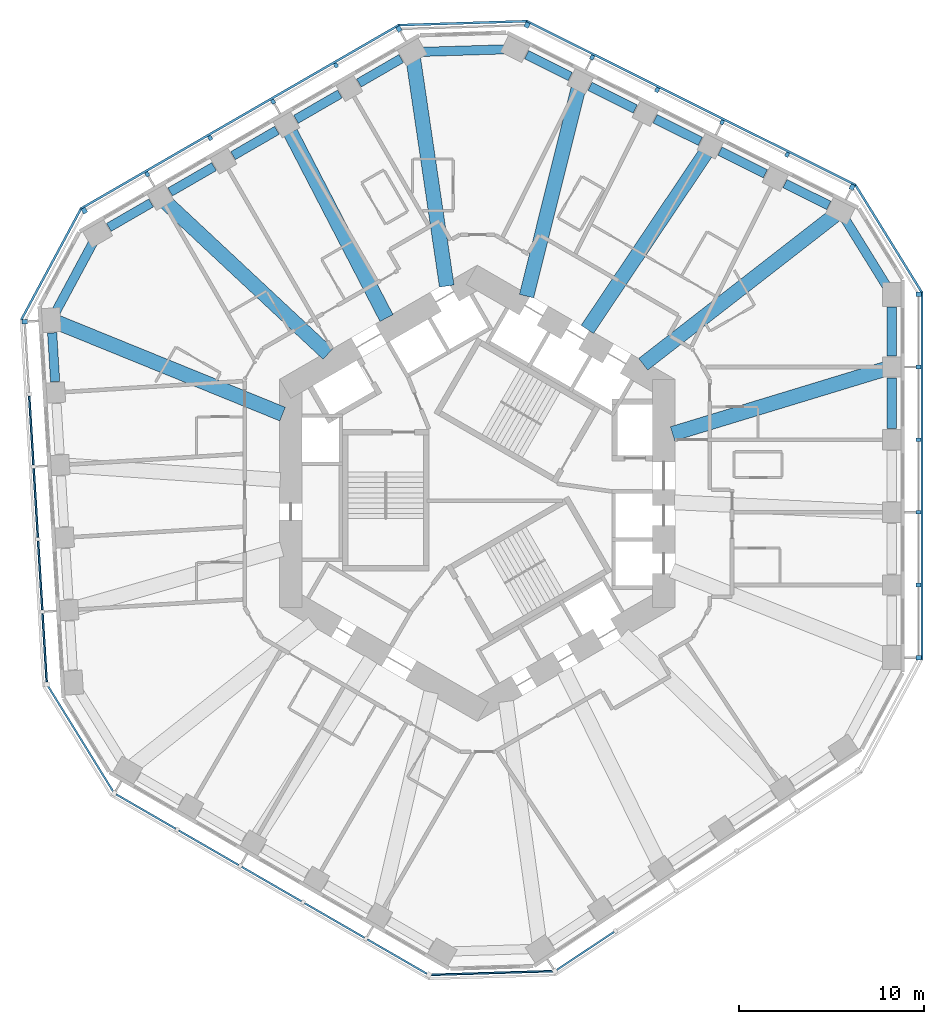
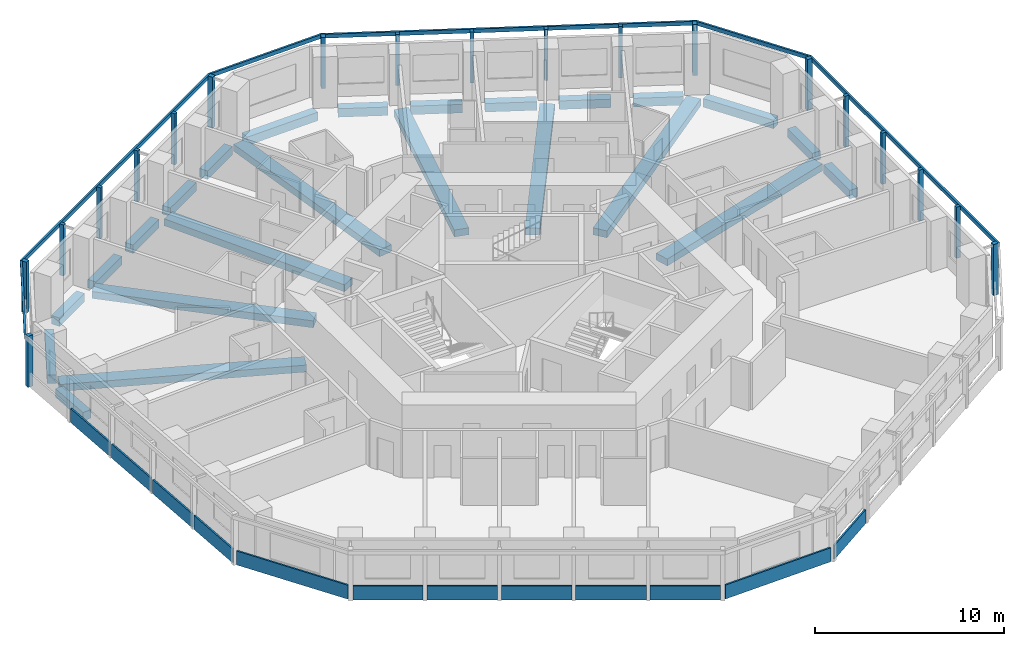
# One storey, part 2 of 12: 25 members, 24 beams, 12 plates, 11 elements without a shape of their own.
"""IFC4 building model written with IfcOpenShell, lengths in metres."""

from ifc_helpers import new_model, si_unit, direction, frame, origin, origin_2d, place, context, subcontext, project, spatial, rectangle, extrude, material, layer, layer_set, material_profile, profile_set, type_object, element, aggregate, save


model = new_model("IFC4")

# Units and contexts
model_context = context("Model", 3, precision=1e-05, world=origin(), true_north=direction((0.0, 1.0)))
body_context = subcontext(model_context, "Body", "Model", "MODEL_VIEW")
ifc_project = project(units=[si_unit("LENGTHUNIT", "METRE"), si_unit("AREAUNIT", "SQUARE_METRE"), si_unit("VOLUMEUNIT", "CUBIC_METRE"), si_unit("PLANEANGLEUNIT", "RADIAN"), si_unit("MASSUNIT", "GRAM", prefix="KILO")], contexts=[model_context])

# Site, building, storey
site_placement = place(None, origin())
site = spatial("IfcSite", under=ifc_project, at=site_placement, CompositionType="ELEMENT")
building_placement = place(site_placement, origin())
building = spatial("IfcBuilding", under=site, at=building_placement, Name="Vanh Sen Convention Tower", CompositionType="ELEMENT")
storey_placement = place(building_placement, frame((0.0, 0.0, 93.5)))
storey = spatial("IfcBuildingStorey", under=building, at=storey_placement, Name="L21", CompositionType="ELEMENT", Elevation=93.5)

# Curtain wall, members
ifc_material_1 = material(Name="Concrete C50/60", Category="concrete")
curtain_wall_type = type_object("IfcCurtainWallType", Name="Outer skin hotel zone", PredefinedType="NOTDEFINED", material=ifc_material_1)
curtain_wall_1_placement = place(storey_placement, origin())
curtain_wall_1 = element("IfcCurtainWall", 1, at=curtain_wall_1_placement, inside=storey, type_object=curtain_wall_type, Name="OUTER SKIN E L21", PredefinedType="NOTDEFINED")
ifc_material_profile_1 = material_profile(ifc_material_1, rectangle(XDim=0.25, YDim=0.300048828125, at=origin_2d()), Name="Outer skin precast corner fin 250 x 300")
ifc_profile_set_1 = profile_set([ifc_material_profile_1], Name="Concrete C50/60")
member_type_1 = type_object("IfcMemberType", Name="Outer skin precast corner fin 250 x 300", PredefinedType="MULLION", material=ifc_profile_set_1)
member_1_placement = place(storey_placement, frame((23.89990234375, -8.899169921875, 0.0), z_axis=(0.0, 0.0, 1.0), x_axis=(0.0, 1.0, 0.0)))
member_1 = element("IfcMember", 2, at=member_1_placement, type_object=member_type_1, Name="OUTER SKIN CORNER FIN 1 E L21", PredefinedType="MULLION", context=body_context, shape_type="SweptSolid", body=[
    extrude(rectangle(XDim=0.25, YDim=0.300048828125, at=origin_2d()), origin(), (0.0, 0.0, 1.0), 3.300048828125),
])
member_2_placement = place(storey_placement, frame((23.89990234375, 10.773681640625, 0.0), z_axis=(0.0, 0.0, 1.0), x_axis=(0.0, 1.0, 0.0)))
member_2 = element("IfcMember", 3, at=member_2_placement, type_object=member_type_1, Name="OUTER SKIN CORNER FIN 6 E L21", PredefinedType="MULLION", context=body_context, shape_type="SweptSolid", body=[
    extrude(rectangle(XDim=0.25, YDim=0.300048828125, at=origin_2d()), origin(), (0.0, 0.0, 1.0), 3.300048828125),
])

curtain_wall_2_placement = place(storey_placement, origin())
curtain_wall_2 = element("IfcCurtainWall", 4, at=curtain_wall_2_placement, inside=storey, type_object=curtain_wall_type, Name="OUTER SKIN NE L21", PredefinedType="NOTDEFINED")
member_3_placement = place(storey_placement, frame((20.305908203125, 16.581787109375, 0.0), z_axis=(0.0, 0.0, 1.0), x_axis=(-0.894934361602, 0.44619781311, 0.0)))
member_3 = element("IfcMember", 5, at=member_3_placement, type_object=member_type_1, Name="OUTER SKIN CORNER FIN 1 NE L21", PredefinedType="MULLION", context=body_context, shape_type="SweptSolid", body=[
    extrude(rectangle(XDim=0.25, YDim=0.300048828125, at=origin_2d()), origin(), (0.0, 0.0, 1.0), 3.300048828125),
])
member_4_placement = place(storey_placement, frame((2.699951171875, 25.35986328125, 0.0), z_axis=(0.0, 0.0, 1.0), x_axis=(-0.894934361602, 0.44619781311, 0.0)))
member_4 = element("IfcMember", 6, at=member_4_placement, type_object=member_type_1, Name="OUTER SKIN CORNER FIN 6 NE L21", PredefinedType="MULLION", context=body_context, shape_type="SweptSolid", body=[
    extrude(rectangle(XDim=0.25, YDim=0.300048828125, at=origin_2d()), origin(), (0.0, 0.0, 1.0), 3.300048828125),
])

curtain_wall_3_placement = place(storey_placement, origin())
curtain_wall_3 = element("IfcCurtainWall", 7, at=curtain_wall_3_placement, inside=storey, type_object=curtain_wall_type, Name="OUTER SKIN NW L21", PredefinedType="NOTDEFINED")
member_5_placement = place(storey_placement, frame((-4.242919921875, 25.147705078125, 0.0), z_axis=(0.0, 0.0, 1.0), x_axis=(-0.866025403784, -0.5, 0.0)))
member_5 = element("IfcMember", 8, at=member_5_placement, type_object=member_type_1, Name="OUTER SKIN CORNER FIN 1 NW L21", PredefinedType="MULLION", context=body_context, shape_type="SweptSolid", body=[
    extrude(rectangle(XDim=0.25, YDim=0.300048828125, at=origin_2d()), origin(), (0.0, 0.0, 1.0), 3.300048828125),
])
member_6_placement = place(storey_placement, frame((-21.2802734375, 15.31103515625, 0.0), z_axis=(0.0, 0.0, 1.0), x_axis=(-0.866025403784, -0.5, 0.0)))
member_6 = element("IfcMember", 9, at=member_6_placement, type_object=member_type_1, Name="OUTER SKIN CORNER FIN 6 NW L21", PredefinedType="MULLION", context=body_context, shape_type="SweptSolid", body=[
    extrude(rectangle(XDim=0.25, YDim=0.300048828125, at=origin_2d()), origin(), (0.0, 0.0, 1.0), 3.300048828125),
])

# Curtain wall, member
curtain_wall_4_placement = place(storey_placement, origin())
curtain_wall_4 = element("IfcCurtainWall", 10, at=curtain_wall_4_placement, inside=storey, type_object=curtain_wall_type, Name="OUTER SKIN W L21", PredefinedType="NOTDEFINED")
member_7_placement = place(storey_placement, frame((-24.51318359375, 9.294677734375, 0.0), z_axis=(0.0, 0.0, 1.0), x_axis=(0.061048539535, -0.998134798422, 0.0)))
member_7 = element("IfcMember", 11, at=member_7_placement, type_object=member_type_1, Name="OUTER SKIN CORNER FIN 1 W L21", PredefinedType="MULLION", context=body_context, shape_type="SweptSolid", body=[
    extrude(rectangle(XDim=0.25, YDim=0.300048828125, at=origin_2d()), origin(), (0.0, 0.0, 1.0), 3.300048828125),
])

# Member
ifc_material_profile_2 = material_profile(ifc_material_1, rectangle(XDim=0.199951171875, YDim=0.25, at=origin_2d()), Name="Outer skin precast fin 200 x 250")
ifc_profile_set_2 = profile_set([ifc_material_profile_2], Name="Concrete C50/60")
member_type_2 = type_object("IfcMemberType", Name="Outer skin precast fin 200 x 250", PredefinedType="MULLION", material=ifc_profile_set_2)
member_8_placement = place(storey_placement, frame((23.89990234375, -4.964599609375, 0.0), z_axis=(0.0, 0.0, 1.0), x_axis=(0.0, 1.0, 0.0)))
member_8 = element("IfcMember", 12, at=member_8_placement, type_object=member_type_2, Name="OUTER SKIN fin 2 E L21", PredefinedType="MULLION", context=body_context, shape_type="SweptSolid", body=[
    extrude(rectangle(XDim=0.199951171875, YDim=0.25, at=origin_2d()), origin(), (0.0, 0.0, 1.0), 3.300048828125),
])

member_9_placement = place(storey_placement, frame((23.89990234375, -1.030029296875, 0.0), z_axis=(0.0, 0.0, 1.0), x_axis=(0.0, 1.0, 0.0)))
member_9 = element("IfcMember", 13, at=member_9_placement, type_object=member_type_2, Name="OUTER SKIN fin 3 E L21", PredefinedType="MULLION", context=body_context, shape_type="SweptSolid", body=[
    extrude(rectangle(XDim=0.199951171875, YDim=0.25, at=origin_2d()), origin(), (0.0, 0.0, 1.0), 3.300048828125),
])

member_10_placement = place(storey_placement, frame((23.89990234375, 2.904541015625, 0.0), z_axis=(0.0, 0.0, 1.0), x_axis=(0.0, 1.0, 0.0)))
member_10 = element("IfcMember", 14, at=member_10_placement, type_object=member_type_2, Name="OUTER SKIN fin 4 E L21", PredefinedType="MULLION", context=body_context, shape_type="SweptSolid", body=[
    extrude(rectangle(XDim=0.199951171875, YDim=0.25, at=origin_2d()), origin(), (0.0, 0.0, 1.0), 3.300048828125),
])

member_11_placement = place(storey_placement, frame((23.89990234375, 6.839111328125, 0.0), z_axis=(0.0, 0.0, 1.0), x_axis=(0.0, 1.0, 0.0)))
member_11 = element("IfcMember", 15, at=member_11_placement, type_object=member_type_2, Name="OUTER SKIN fin 5 E L21", PredefinedType="MULLION", context=body_context, shape_type="SweptSolid", body=[
    extrude(rectangle(XDim=0.199951171875, YDim=0.25, at=origin_2d()), origin(), (0.0, 0.0, 1.0), 3.300048828125),
])

member_12_placement = place(storey_placement, frame((16.78466796875, 18.33740234375, 0.0), z_axis=(0.0, 0.0, 1.0), x_axis=(-0.894934361602, 0.44619781311, 0.0)))
member_12 = element("IfcMember", 16, at=member_12_placement, type_object=member_type_2, Name="OUTER SKIN fin 2 NE L21", PredefinedType="MULLION", context=body_context, shape_type="SweptSolid", body=[
    extrude(rectangle(XDim=0.199951171875, YDim=0.25, at=origin_2d()), origin(), (0.0, 0.0, 1.0), 3.300048828125),
])

member_13_placement = place(storey_placement, frame((13.263427734375, 20.093017578125, 0.0), z_axis=(0.0, 0.0, 1.0), x_axis=(-0.894934361602, 0.44619781311, 0.0)))
member_13 = element("IfcMember", 17, at=member_13_placement, type_object=member_type_2, Name="OUTER SKIN fin 3 NE L21", PredefinedType="MULLION", context=body_context, shape_type="SweptSolid", body=[
    extrude(rectangle(XDim=0.199951171875, YDim=0.25, at=origin_2d()), origin(), (0.0, 0.0, 1.0), 3.300048828125),
])

member_14_placement = place(storey_placement, frame((9.7421875, 21.8486328125, 0.0), z_axis=(0.0, 0.0, 1.0), x_axis=(-0.894934361602, 0.44619781311, 0.0)))
member_14 = element("IfcMember", 18, at=member_14_placement, type_object=member_type_2, Name="OUTER SKIN fin 4 NE L21", PredefinedType="MULLION", context=body_context, shape_type="SweptSolid", body=[
    extrude(rectangle(XDim=0.199951171875, YDim=0.25, at=origin_2d()), origin(), (0.0, 0.0, 1.0), 3.300048828125),
])

member_15_placement = place(storey_placement, frame((6.22119140625, 23.604248046875, 0.0), z_axis=(0.0, 0.0, 1.0), x_axis=(-0.894934361602, 0.44619781311, 0.0)))
member_15 = element("IfcMember", 19, at=member_15_placement, type_object=member_type_2, Name="OUTER SKIN fin 5 NE L21", PredefinedType="MULLION", context=body_context, shape_type="SweptSolid", body=[
    extrude(rectangle(XDim=0.199951171875, YDim=0.25, at=origin_2d()), origin(), (0.0, 0.0, 1.0), 3.300048828125),
])

member_16_placement = place(storey_placement, frame((-7.650390625, 23.180419921875, 0.0), z_axis=(0.0, 0.0, 1.0), x_axis=(-0.866025403784, -0.5, 0.0)))
member_16 = element("IfcMember", 20, at=member_16_placement, type_object=member_type_2, Name="OUTER SKIN fin 2 NW L21", PredefinedType="MULLION", context=body_context, shape_type="SweptSolid", body=[
    extrude(rectangle(XDim=0.199951171875, YDim=0.25, at=origin_2d()), origin(), (0.0, 0.0, 1.0), 3.300048828125),
])

member_17_placement = place(storey_placement, frame((-11.057861328125, 21.212890625, 0.0), z_axis=(0.0, 0.0, 1.0), x_axis=(-0.866025403784, -0.5, 0.0)))
member_17 = element("IfcMember", 21, at=member_17_placement, type_object=member_type_2, Name="OUTER SKIN fin 3 NW L21", PredefinedType="MULLION", context=body_context, shape_type="SweptSolid", body=[
    extrude(rectangle(XDim=0.199951171875, YDim=0.25, at=origin_2d()), origin(), (0.0, 0.0, 1.0), 3.300048828125),
])

member_18_placement = place(storey_placement, frame((-14.46533203125, 19.24560546875, 0.0), z_axis=(0.0, 0.0, 1.0), x_axis=(-0.866025403784, -0.5, 0.0)))
member_18 = element("IfcMember", 22, at=member_18_placement, type_object=member_type_2, Name="OUTER SKIN fin 4 NW L21", PredefinedType="MULLION", context=body_context, shape_type="SweptSolid", body=[
    extrude(rectangle(XDim=0.199951171875, YDim=0.25, at=origin_2d()), origin(), (0.0, 0.0, 1.0), 3.300048828125),
])

member_19_placement = place(storey_placement, frame((-17.872802734375, 17.2783203125, 0.0), z_axis=(0.0, 0.0, 1.0), x_axis=(-0.866025403784, -0.5, 0.0)))
member_19 = element("IfcMember", 23, at=member_19_placement, type_object=member_type_2, Name="OUTER SKIN fin 5 NW L21", PredefinedType="MULLION", context=body_context, shape_type="SweptSolid", body=[
    extrude(rectangle(XDim=0.199951171875, YDim=0.25, at=origin_2d()), origin(), (0.0, 0.0, 1.0), 3.300048828125),
])

ifc_material_profile_3 = material_profile(ifc_material_1, rectangle(XDim=0.1201171875, YDim=0.25, at=origin_2d()), Name="Outer skin precast spandrel band 250 x 120")
ifc_profile_set_3 = profile_set([ifc_material_profile_3], Name="Concrete C50/60")
member_type_3 = type_object("IfcMemberType", Name="Outer skin precast spandrel band 250 x 120", PredefinedType="USERDEFINED", material=ifc_profile_set_3)
member_20_placement = place(storey_placement, frame((24.0849609375, -9.024169921875, 3.175048828125), z_axis=(0.0, 1.0, 0.0), x_axis=(-1.0, 0.0, 0.0)))
member_20 = element("IfcMember", 24, at=member_20_placement, type_object=member_type_3, Name="OUTER SKIN spandrel band E L21", ObjectType="TRANSOM", PredefinedType="USERDEFINED", context=body_context, shape_type="SweptSolid", body=[
    extrude(rectangle(XDim=0.1201171875, YDim=0.25, at=origin_2d()), origin(), (0.0, 0.0, 1.0), 19.9228515625),
])

aggregate(curtain_wall_1, [member_1, member_8, member_9, member_10, member_11, member_2, member_20])

# Curtain wall, member
curtain_wall_5_placement = place(storey_placement, origin())
curtain_wall_5 = element("IfcCurtainWall", 25, at=curtain_wall_5_placement, inside=storey, type_object=curtain_wall_type, Name="OUTER SKIN CH1 L21", PredefinedType="NOTDEFINED")
member_21_placement = place(storey_placement, frame((24.07861328125, 10.88427734375, 3.175048828125), z_axis=(-0.526195864379, 0.850363400148, 0.0), x_axis=(-0.850363400148, -0.526195864379, 0.0)))
member_21 = element("IfcMember", 26, at=member_21_placement, type_object=member_type_3, Name="OUTER SKIN spandrel band CH1 L21", ObjectType="TRANSOM", PredefinedType="USERDEFINED", context=body_context, shape_type="SweptSolid", body=[
    extrude(rectangle(XDim=0.1201171875, YDim=0.25, at=origin_2d()), origin(), (0.0, 0.0, 1.0), 6.830078125),
])
aggregate(curtain_wall_5, [member_21])

# Member
member_22_placement = place(storey_placement, frame((20.500244140625, 16.69140625, 3.175048828125), z_axis=(-0.894931498167, 0.446203556227, 0.0), x_axis=(-0.446203556227, -0.894931498167, 0.0)))
member_22 = element("IfcMember", 27, at=member_22_placement, type_object=member_type_3, Name="OUTER SKIN spandrel band NE L21", ObjectType="TRANSOM", PredefinedType="USERDEFINED", context=body_context, shape_type="SweptSolid", body=[
    extrude(rectangle(XDim=0.1201171875, YDim=0.25, at=origin_2d()), origin(), (0.0, 0.0, 1.0), 19.9228515625),
])

aggregate(curtain_wall_2, [member_3, member_12, member_13, member_14, member_15, member_4, member_22])

# Curtain wall, member
curtain_wall_6_placement = place(storey_placement, origin())
curtain_wall_6 = element("IfcCurtainWall", 28, at=curtain_wall_6_placement, inside=storey, type_object=curtain_wall_type, Name="OUTER SKIN CH2 L21", PredefinedType="NOTDEFINED")
member_23_placement = place(storey_placement, frame((2.693603515625, 25.569580078125, 3.175048828125), z_axis=(-0.999533472857, -0.030542374483, 0.0), x_axis=(0.030542374483, -0.999533472857, 0.0)))
member_23 = element("IfcMember", 29, at=member_23_placement, type_object=member_type_3, Name="OUTER SKIN spandrel band CH2 L21", ObjectType="TRANSOM", PredefinedType="USERDEFINED", context=body_context, shape_type="SweptSolid", body=[
    extrude(rectangle(XDim=0.1201171875, YDim=0.25, at=origin_2d()), origin(), (0.0, 0.0, 1.0), 6.9462890625),
])
aggregate(curtain_wall_6, [member_23])

# Member
member_24_placement = place(storey_placement, frame((-4.227294921875, 25.370361328125, 3.175048828125), z_axis=(-0.866028047459, -0.499995420993, 0.0), x_axis=(0.499995420993, -0.866028047459, 0.0)))
member_24 = element("IfcMember", 30, at=member_24_placement, type_object=member_type_3, Name="OUTER SKIN spandrel band NW L21", ObjectType="TRANSOM", PredefinedType="USERDEFINED", context=body_context, shape_type="SweptSolid", body=[
    extrude(rectangle(XDim=0.1201171875, YDim=0.25, at=origin_2d()), origin(), (0.0, 0.0, 1.0), 19.923095703125),
])

aggregate(curtain_wall_3, [member_5, member_16, member_17, member_18, member_19, member_6, member_24])

# Curtain wall, member
curtain_wall_7_placement = place(storey_placement, origin())
curtain_wall_7 = element("IfcCurtainWall", 31, at=curtain_wall_7_placement, inside=storey, type_object=curtain_wall_type, Name="OUTER SKIN CH3 L21", PredefinedType="NOTDEFINED")
member_25_placement = place(storey_placement, frame((-21.46533203125, 15.410400390625, 3.175048828125), z_axis=(-0.473315186561, -0.880893145717, 0.0), x_axis=(0.880893145717, -0.473315186561, 0.0)))
member_25 = element("IfcMember", 32, at=member_25_placement, type_object=member_type_3, Name="OUTER SKIN spandrel band CH3 L21", ObjectType="TRANSOM", PredefinedType="USERDEFINED", context=body_context, shape_type="SweptSolid", body=[
    extrude(rectangle(XDim=0.1201171875, YDim=0.25, at=origin_2d()), origin(), (0.0, 0.0, 1.0), 6.829833984375),
])
aggregate(curtain_wall_7, [member_25])

# Beams
ifc_material_2 = material(Name="Concrete C50/60", Category="concrete")
ifc_material_profile_4 = material_profile(ifc_material_2, rectangle(XDim=0.800048828125, YDim=0.449951171875, at=origin_2d()), Name="RC 800X450")
ifc_profile_set_4 = profile_set([ifc_material_profile_4], Name="Concrete C50/60")
beam_type_1 = type_object("IfcBeamType", Name="Radial floor beam 800 x 450", PredefinedType="BEAM", material=ifc_profile_set_4)
beam_1_placement = place(storey_placement, frame((22.0712890625, 6.7236328125, -0.47509765625), z_axis=(-0.956599525752, -0.29140581211, 0.0), x_axis=(0.29140581211, -0.956599525752, 0.0)))
element("IfcBeam", 33, at=beam_1_placement, inside=storey, type_object=beam_type_1, Name="Radial beam 03 L21", PredefinedType="BEAM", context=body_context, shape_type="SweptSolid", body=[
    extrude(rectangle(XDim=0.800048828125, YDim=0.449951171875, at=origin_2d()), origin(), (0.0, 0.0, 1.0), 12.01416015625),
])
beam_2_placement = place(storey_placement, frame((19.376708984375, 15.064697265625, -0.47509765625), z_axis=(-0.789479064473, -0.613777489616, 0.0), x_axis=(0.613777489616, -0.789479064473, 0.0)))
element("IfcBeam", 34, at=beam_2_placement, inside=storey, type_object=beam_type_1, Name="Radial beam 04 L21", PredefinedType="BEAM", context=body_context, shape_type="SweptSolid", body=[
    extrude(rectangle(XDim=0.800048828125, YDim=0.449951171875, at=origin_2d()), origin(), (0.0, 0.0, 1.0), 13.16015625),
])
beam_3_placement = place(storey_placement, frame((12.3671875, 18.423828125, -0.47509765625), z_axis=(-0.557338631, -0.830285282536, 0.0), x_axis=(0.830285282536, -0.557338631, 0.0)))
element("IfcBeam", 35, at=beam_3_placement, inside=storey, type_object=beam_type_1, Name="Radial beam 05 L21", PredefinedType="BEAM", context=body_context, shape_type="SweptSolid", body=[
    extrude(rectangle(XDim=0.800048828125, YDim=0.449951171875, at=origin_2d()), origin(), (0.0, 0.0, 1.0), 11.497314453125),
])
beam_4_placement = place(storey_placement, frame((5.47265625, 21.900390625, -0.47509765625), z_axis=(-0.242436270236, -0.97016733344, 0.0), x_axis=(0.97016733344, -0.242436270236, 0.0)))
element("IfcBeam", 36, at=beam_4_placement, inside=storey, type_object=beam_type_1, Name="Radial beam 06 L21", PredefinedType="BEAM", context=body_context, shape_type="SweptSolid", body=[
    extrude(rectangle(XDim=0.800048828125, YDim=0.449951171875, at=origin_2d()), origin(), (0.0, 0.0, 1.0), 11.563720703125),
])
beam_5_placement = place(storey_placement, frame((-3.46337890625, 23.521484375, -0.47509765625), z_axis=(0.145674386683, -0.989332589711, 0.0), x_axis=(0.989332589711, 0.145674386683, 0.0)))
element("IfcBeam", 37, at=beam_5_placement, inside=storey, type_object=beam_type_1, Name="Radial beam 07 L21", PredefinedType="BEAM", context=body_context, shape_type="SweptSolid", body=[
    extrude(rectangle(XDim=0.800048828125, YDim=0.449951171875, at=origin_2d()), origin(), (0.0, 0.0, 1.0), 12.4287109375),
])
beam_6_placement = place(storey_placement, frame((-10.113525390625, 19.53369140625, -0.47509765625), z_axis=(0.459777032111, -0.888034391644, 0.0), x_axis=(0.888034391644, 0.459777032111, 0.0)))
element("IfcBeam", 38, at=beam_6_placement, inside=storey, type_object=beam_type_1, Name="Radial beam 08 L21", PredefinedType="BEAM", context=body_context, shape_type="SweptSolid", body=[
    extrude(rectangle(XDim=0.800048828125, YDim=0.449951171875, at=origin_2d()), origin(), (0.0, 0.0, 1.0), 11.30859375),
])
beam_7_placement = place(storey_placement, frame((-16.858642578125, 15.75244140625, -0.47509765625), z_axis=(0.730678761729, -0.6827214272, 0.0), x_axis=(0.6827214272, 0.730678761729, 0.0)))
element("IfcBeam", 39, at=beam_7_placement, inside=storey, type_object=beam_type_1, Name="Radial beam 09 L21", PredefinedType="BEAM", context=body_context, shape_type="SweptSolid", body=[
    extrude(rectangle(XDim=0.800048828125, YDim=0.449951171875, at=origin_2d()), origin(), (0.0, 0.0, 1.0), 12.01416015625),
])
beam_8_placement = place(storey_placement, frame((-22.734619140625, 9.248291015625, -0.47509765625), z_axis=(0.926292218259, -0.376805953236, 0.0), x_axis=(0.376805953236, 0.926292218259, 0.0)))
element("IfcBeam", 40, at=beam_8_placement, inside=storey, type_object=beam_type_1, Name="Radial beam 10 L21", PredefinedType="BEAM", context=body_context, shape_type="SweptSolid", body=[
    extrude(rectangle(XDim=0.800048828125, YDim=0.449951171875, at=origin_2d()), origin(), (0.0, 0.0, 1.0), 13.159912109375),
])
ifc_material_profile_5 = material_profile(ifc_material_2, rectangle(XDim=0.5, YDim=0.550048828125, at=origin_2d()), Name="RC 500X550")
ifc_profile_set_5 = profile_set([ifc_material_profile_5], Name="Concrete C50/60")
beam_type_2 = type_object("IfcBeamType", Name="Spandrel beam 500 x 550", PredefinedType="SPANDREL", material=ifc_profile_set_5)
beam_9_placement = place(storey_placement, frame((22.449951171875, 3.49951171875, -0.52490234375), z_axis=(0.0, 1.0, 0.0), x_axis=(-1.0, 0.0, 0.0)))
element("IfcBeam", 41, at=beam_9_placement, inside=storey, type_object=beam_type_2, Name="Spandrel beam 04 L21", PredefinedType="SPANDREL", context=body_context, shape_type="SweptSolid", body=[
    extrude(rectangle(XDim=0.5, YDim=0.550048828125, at=origin_2d()), origin(), (0.0, 0.0, 1.0), 2.74462890625),
])
beam_10_placement = place(storey_placement, frame((22.449951171875, 7.43408203125, -0.52490234375), z_axis=(0.0, 1.0, 0.0), x_axis=(-1.0, 0.0, 0.0)))
element("IfcBeam", 42, at=beam_10_placement, inside=storey, type_object=beam_type_2, Name="Spandrel beam 05 L21", PredefinedType="SPANDREL", context=body_context, shape_type="SweptSolid", body=[
    extrude(rectangle(XDim=0.5, YDim=0.550048828125, at=origin_2d()), origin(), (0.0, 0.0, 1.0), 2.64453125),
])
beam_11_placement = place(storey_placement, frame((22.165283203125, 11.23388671875, -0.52490234375), z_axis=(-0.526225208879, 0.850345241381, 0.0), x_axis=(-0.850345241381, -0.526225208879, 0.0)))
element("IfcBeam", 43, at=beam_11_placement, inside=storey, type_object=beam_type_2, Name="Spandrel beam 06 L21", PredefinedType="SPANDREL", context=body_context, shape_type="SweptSolid", body=[
    extrude(rectangle(XDim=0.5, YDim=0.550048828125, at=origin_2d()), origin(), (0.0, 0.0, 1.0), 4.221923828125),
])
beam_12_placement = place(storey_placement, frame((19.036865234375, 15.59423828125, -0.52490234375), z_axis=(-0.894943581597, 0.446179320183, 0.0), x_axis=(-0.446179320183, -0.894943581597, 0.0)))
element("IfcBeam", 44, at=beam_12_placement, inside=storey, type_object=beam_type_2, Name="Spandrel beam 07 L21", PredefinedType="SPANDREL", context=body_context, shape_type="SweptSolid", body=[
    extrude(rectangle(XDim=0.5, YDim=0.550048828125, at=origin_2d()), origin(), (0.0, 0.0, 1.0), 2.64453125),
])
for number, where, z_axis, x_axis, name in (
    (45, (15.605224609375, 17.30517578125, -0.52490234375), (-0.894942515368, 0.44618145881, 0.0), (-0.44618145881, -0.894942515368, 0.0), "Spandrel beam 08 L21"),
    (46, (12.083984375, 19.060791015625, -0.52490234375), (-0.894942515368, 0.44618145881, 0.0), (-0.44618145881, -0.894942515368, 0.0), "Spandrel beam 09 L21"),
):
    element("IfcBeam", number, at=place(storey_placement, frame(where, z_axis=z_axis, x_axis=x_axis)), inside=storey, type_object=beam_type_2, Name=name, PredefinedType="SPANDREL", context=body_context, shape_type="SweptSolid", body=[
        extrude(rectangle(XDim=0.5, YDim=0.550048828125, at=origin_2d()), origin(), (0.0, 0.0, 1.0), 2.74462890625),
    ])
beam_13_placement = place(storey_placement, frame((8.562744140625, 20.81640625, -0.52490234375), z_axis=(-0.894924804947, 0.44621698028, 0.0), x_axis=(-0.44621698028, -0.894924804947, 0.0)))
element("IfcBeam", 47, at=beam_13_placement, inside=storey, type_object=beam_type_2, Name="Spandrel beam 10 L21", PredefinedType="SPANDREL", context=body_context, shape_type="SweptSolid", body=[
    extrude(rectangle(XDim=0.5, YDim=0.550048828125, at=origin_2d()), origin(), (0.0, 0.0, 1.0), 2.744384765625),
])
beam_14_placement = place(storey_placement, frame((5.04150390625, 22.572021484375, -0.52490234375), z_axis=(-0.894943581597, 0.446179320183, 0.0), x_axis=(-0.446179320183, -0.894943581597, 0.0)))
element("IfcBeam", 48, at=beam_14_placement, inside=storey, type_object=beam_type_2, Name="Spandrel beam 11 L21", PredefinedType="SPANDREL", context=body_context, shape_type="SweptSolid", body=[
    extrude(rectangle(XDim=0.5, YDim=0.550048828125, at=origin_2d()), origin(), (0.0, 0.0, 1.0), 2.64453125),
])
beam_15_placement = place(storey_placement, frame((1.467041015625, 24.044189453125, -0.52490234375), z_axis=(-0.999534488219, -0.030509127505, 0.0), x_axis=(0.030509127505, -0.999534488219, 0.0)))
element("IfcBeam", 49, at=beam_15_placement, inside=storey, type_object=beam_type_2, Name="Spandrel beam 12 L21", PredefinedType="SPANDREL", context=body_context, shape_type="SweptSolid", body=[
    extrude(rectangle(XDim=0.5, YDim=0.550048828125, at=origin_2d()), origin(), (0.0, 0.0, 1.0), 4.401123046875),
])
beam_16_placement = place(storey_placement, frame((-4.119873046875, 23.54443359375, -0.52490234375), z_axis=(-0.866030315638, -0.499991492324, 0.0), x_axis=(0.499991492324, -0.866030315638, 0.0)))
element("IfcBeam", 50, at=beam_16_placement, inside=storey, type_object=beam_type_2, Name="Spandrel beam 13 L21", PredefinedType="SPANDREL", context=body_context, shape_type="SweptSolid", body=[
    extrude(rectangle(XDim=0.5, YDim=0.550048828125, at=origin_2d()), origin(), (0.0, 0.0, 1.0), 2.64453125),
])
beam_17_placement = place(storey_placement, frame((-7.44091796875, 21.627197265625, -0.52490234375), z_axis=(-0.866006330792, -0.500033033937, 0.0), x_axis=(0.500033033937, -0.866006330792, 0.0)))
element("IfcBeam", 51, at=beam_17_placement, inside=storey, type_object=beam_type_2, Name="Spandrel beam 14 L21", PredefinedType="SPANDREL", context=body_context, shape_type="SweptSolid", body=[
    extrude(rectangle(XDim=0.5, YDim=0.550048828125, at=origin_2d()), origin(), (0.0, 0.0, 1.0), 2.744384765625),
])
for number, where, z_axis, x_axis, name in (
    (52, (-10.84814453125, 19.659912109375, -0.52490234375), (-0.866028570666, -0.499994514761, 0.0), (0.499994514761, -0.866028570666, 0.0), "Spandrel beam 15 L21"),
    (53, (-14.255615234375, 17.6923828125, -0.52490234375), (-0.866067086513, -0.499927796446, 0.0), (0.499927796446, -0.866067086513, 0.0), "Spandrel beam 16 L21"),
):
    element("IfcBeam", number, at=place(storey_placement, frame(where, z_axis=z_axis, x_axis=x_axis)), inside=storey, type_object=beam_type_2, Name=name, PredefinedType="SPANDREL", context=body_context, shape_type="SweptSolid", body=[
        extrude(rectangle(XDim=0.5, YDim=0.550048828125, at=origin_2d()), origin(), (0.0, 0.0, 1.0), 2.74462890625),
    ])
beam_18_placement = place(storey_placement, frame((-17.6630859375, 15.72509765625, -0.52490234375), z_axis=(-0.866030315638, -0.499991492324, 0.0), x_axis=(0.499991492324, -0.866030315638, 0.0)))
element("IfcBeam", 54, at=beam_18_placement, inside=storey, type_object=beam_type_2, Name="Spandrel beam 17 L21", PredefinedType="SPANDREL", context=body_context, shape_type="SweptSolid", body=[
    extrude(rectangle(XDim=0.5, YDim=0.550048828125, at=origin_2d()), origin(), (0.0, 0.0, 1.0), 2.64453125),
])
beam_19_placement = place(storey_placement, frame((-20.811279296875, 13.57861328125, -0.52490234375), z_axis=(-0.473389272321, -0.880853334473, 0.0), x_axis=(0.880853334473, -0.473389272321, 0.0)))
element("IfcBeam", 55, at=beam_19_placement, inside=storey, type_object=beam_type_2, Name="Spandrel beam 18 L21", PredefinedType="SPANDREL", context=body_context, shape_type="SweptSolid", body=[
    extrude(rectangle(XDim=0.5, YDim=0.550048828125, at=origin_2d()), origin(), (0.0, 0.0, 1.0), 4.2216796875),
])
beam_20_placement = place(storey_placement, frame((-23.0234375, 8.689453125, -0.52490234375), z_axis=(0.061113817246, -0.998130803723, 0.0), x_axis=(0.998130803723, 0.061113817246, 0.0)))
element("IfcBeam", 56, at=beam_20_placement, inside=storey, type_object=beam_type_2, Name="Spandrel beam 19 L21", PredefinedType="SPANDREL", context=body_context, shape_type="SweptSolid", body=[
    extrude(rectangle(XDim=0.5, YDim=0.550048828125, at=origin_2d()), origin(), (0.0, 0.0, 1.0), 2.64453125),
])

# Plate
ifc_layer = layer(ifc_material_1, 0.10009765625)
ifc_layer_set = layer_set([ifc_layer], Name="Concrete C50/60")
plate_type = type_object("IfcPlateType", Name="Outer skin precast screen panel 100", PredefinedType="CURTAIN_PANEL", material=ifc_layer_set)
plate_1_placement = place(storey_placement, frame((-24.15283203125, 3.40380859375, 0.0), z_axis=(0.0, 0.0, 1.0), x_axis=(0.061048539535, -0.998134798422, 0.0)))
plate_1 = element("IfcPlate", 57, at=plate_1_placement, type_object=plate_type, Name="OUTER SKIN screen panel W-2", PredefinedType="CURTAIN_PANEL", context=body_context, shape_type="SweptSolid", body=[
    extrude(rectangle(XDim=3.734619140625, YDim=0.10009765625, at=origin_2d()), origin(), (0.0, 0.0, 1.0), 0.89990234375),
])

plate_2_placement = place(storey_placement, frame((-23.91259765625, -0.523681640625, 0.0), z_axis=(0.0, 0.0, 1.0), x_axis=(0.061046797461, -0.99813490497, 0.0)))
plate_2 = element("IfcPlate", 58, at=plate_2_placement, type_object=plate_type, Name="OUTER SKIN screen panel W-3", PredefinedType="CURTAIN_PANEL", context=body_context, shape_type="SweptSolid", body=[
    extrude(rectangle(XDim=3.734619140625, YDim=0.10009765625, at=origin_2d()), origin(), (0.0, 0.0, 1.0), 0.89990234375),
])

plate_3_placement = place(storey_placement, frame((-23.67236328125, -4.45068359375, 0.0), z_axis=(0.0, 0.0, 1.0), x_axis=(0.061048539535, -0.998134798422, 0.0)))
plate_3 = element("IfcPlate", 59, at=plate_3_placement, type_object=plate_type, Name="OUTER SKIN screen panel W-4", PredefinedType="CURTAIN_PANEL", context=body_context, shape_type="SweptSolid", body=[
    extrude(rectangle(XDim=3.734619140625, YDim=0.10009765625, at=origin_2d()), origin(), (0.0, 0.0, 1.0), 0.89990234375),
])

plate_4_placement = place(storey_placement, frame((-23.43310546875, -8.365478515625, 0.0), z_axis=(0.0, 0.0, 1.0), x_axis=(0.061046797461, -0.99813490497, 0.0)))
plate_4 = element("IfcPlate", 60, at=plate_4_placement, type_object=plate_type, Name="OUTER SKIN screen panel W-5", PredefinedType="CURTAIN_PANEL", context=body_context, shape_type="SweptSolid", body=[
    extrude(rectangle(XDim=3.709716796875, YDim=0.10009765625, at=origin_2d()), origin(), (0.0, 0.0, 1.0), 0.89990234375),
])

aggregate(curtain_wall_4, [member_7, plate_1, plate_2, plate_3, plate_4])

# Curtain wall, plate
curtain_wall_8_placement = place(storey_placement, origin())
curtain_wall_8 = element("IfcCurtainWall", 61, at=curtain_wall_8_placement, inside=storey, type_object=curtain_wall_type, Name="OUTER SKIN CH4 L21", PredefinedType="NOTDEFINED")
plate_5_placement = place(storey_placement, frame((-21.484619140625, -13.295166015625, 0.0), z_axis=(0.0, 0.0, 1.0), x_axis=(0.526205018755, -0.850357735448, 0.0)))
plate_5 = element("IfcPlate", 62, at=plate_5_placement, type_object=plate_type, Name="OUTER SKIN screen panel CH4-1", PredefinedType="CURTAIN_PANEL", context=body_context, shape_type="SweptSolid", body=[
    extrude(rectangle(XDim=6.6962890625, YDim=0.10009765625, at=origin_2d()), origin(), (0.0, 0.0, 1.0), 0.89990234375),
])
aggregate(curtain_wall_8, [plate_5])

# Curtain wall, plates
curtain_wall_9_placement = place(storey_placement, origin())
curtain_wall_9 = element("IfcCurtainWall", 63, at=curtain_wall_9_placement, inside=storey, type_object=curtain_wall_type, Name="OUTER SKIN SW L21", PredefinedType="NOTDEFINED")
plate_6_placement = place(storey_placement, frame((-17.9423828125, -17.23828125, 0.0), z_axis=(0.0, 0.0, 1.0), x_axis=(0.866028021766, -0.499995465495, 0.0)))
plate_6 = element("IfcPlate", 64, at=plate_6_placement, type_object=plate_type, Name="OUTER SKIN screen panel SW-1", PredefinedType="CURTAIN_PANEL", context=body_context, shape_type="SweptSolid", body=[
    extrude(rectangle(XDim=3.709716796875, YDim=0.10009765625, at=origin_2d()), origin(), (0.0, 0.0, 1.0), 0.89990234375),
])
plate_7_placement = place(storey_placement, frame((-14.5458984375, -19.19921875, 0.0), z_axis=(0.0, 0.0, 1.0), x_axis=(0.866032385017, -0.499987907955, 0.0)))
plate_7 = element("IfcPlate", 65, at=plate_7_placement, type_object=plate_type, Name="OUTER SKIN screen panel SW-2", PredefinedType="CURTAIN_PANEL", context=body_context, shape_type="SweptSolid", body=[
    extrude(rectangle(XDim=3.734619140625, YDim=0.10009765625, at=origin_2d()), origin(), (0.0, 0.0, 1.0), 0.89990234375),
])
plate_8_placement = place(storey_placement, frame((-11.138427734375, -21.16650390625, 0.0), z_axis=(0.0, 0.0, 1.0), x_axis=(0.866028021766, -0.499995465495, 0.0)))
plate_8 = element("IfcPlate", 66, at=plate_8_placement, type_object=plate_type, Name="OUTER SKIN screen panel SW-3", PredefinedType="CURTAIN_PANEL", context=body_context, shape_type="SweptSolid", body=[
    extrude(rectangle(XDim=3.734619140625, YDim=0.10009765625, at=origin_2d()), origin(), (0.0, 0.0, 1.0), 0.89990234375),
])
plate_9_placement = place(storey_placement, frame((-7.73095703125, -23.1337890625, 0.0), z_axis=(0.0, 0.0, 1.0), x_axis=(0.866028021766, -0.499995465495, 0.0)))
plate_9 = element("IfcPlate", 67, at=plate_9_placement, type_object=plate_type, Name="OUTER SKIN screen panel SW-4", PredefinedType="CURTAIN_PANEL", context=body_context, shape_type="SweptSolid", body=[
    extrude(rectangle(XDim=3.734619140625, YDim=0.10009765625, at=origin_2d()), origin(), (0.0, 0.0, 1.0), 0.89990234375),
])
plate_10_placement = place(storey_placement, frame((-4.334228515625, -25.094970703125, 0.0), z_axis=(0.0, 0.0, 1.0), x_axis=(0.866021040428, -0.500007557478, 0.0)))
plate_10 = element("IfcPlate", 68, at=plate_10_placement, type_object=plate_type, Name="OUTER SKIN screen panel SW-5", PredefinedType="CURTAIN_PANEL", context=body_context, shape_type="SweptSolid", body=[
    extrude(rectangle(XDim=3.70947265625, YDim=0.10009765625, at=origin_2d()), origin(), (0.0, 0.0, 1.0), 0.89990234375),
])
aggregate(curtain_wall_9, [plate_6, plate_7, plate_8, plate_9, plate_10])

# Curtain wall, plate
curtain_wall_10_placement = place(storey_placement, origin())
curtain_wall_10 = element("IfcCurtainWall", 69, at=curtain_wall_10_placement, inside=storey, type_object=curtain_wall_type, Name="OUTER SKIN CH5 L21", PredefinedType="NOTDEFINED")
plate_11_placement = place(storey_placement, frame((0.793701171875, -25.98046875, 0.0), z_axis=(0.0, 0.0, 1.0), x_axis=(0.999533484231, 0.03054200224, 0.0)))
plate_11 = element("IfcPlate", 70, at=plate_11_placement, type_object=plate_type, Name="OUTER SKIN screen panel CH5-1", PredefinedType="CURTAIN_PANEL", context=body_context, shape_type="SweptSolid", body=[
    extrude(rectangle(XDim=6.580078125, YDim=0.10009765625, at=origin_2d()), origin(), (0.0, 0.0, 1.0), 0.89990234375),
])
aggregate(curtain_wall_10, [plate_11])

curtain_wall_11_placement = place(storey_placement, origin())
curtain_wall_11 = element("IfcCurtainWall", 71, at=curtain_wall_11_placement, inside=storey, type_object=curtain_wall_type, Name="OUTER SKIN SE L21", PredefinedType="NOTDEFINED")
plate_12_placement = place(storey_placement, frame((5.858154296875, -24.783447265625, 0.0), z_axis=(0.0, 0.0, 1.0), x_axis=(0.833891601892, 0.55192825285, 0.0)))
plate_12 = element("IfcPlate", 72, at=plate_12_placement, type_object=plate_type, Name="OUTER SKIN screen panel SE-1", PredefinedType="CURTAIN_PANEL", context=body_context, shape_type="SweptSolid", body=[
    extrude(rectangle(XDim=3.709716796875, YDim=0.10009765625, at=origin_2d()), origin(), (0.0, 0.0, 1.0), 0.89990234375),
])
aggregate(curtain_wall_11, [plate_12])

save(model, "model.ifc")
